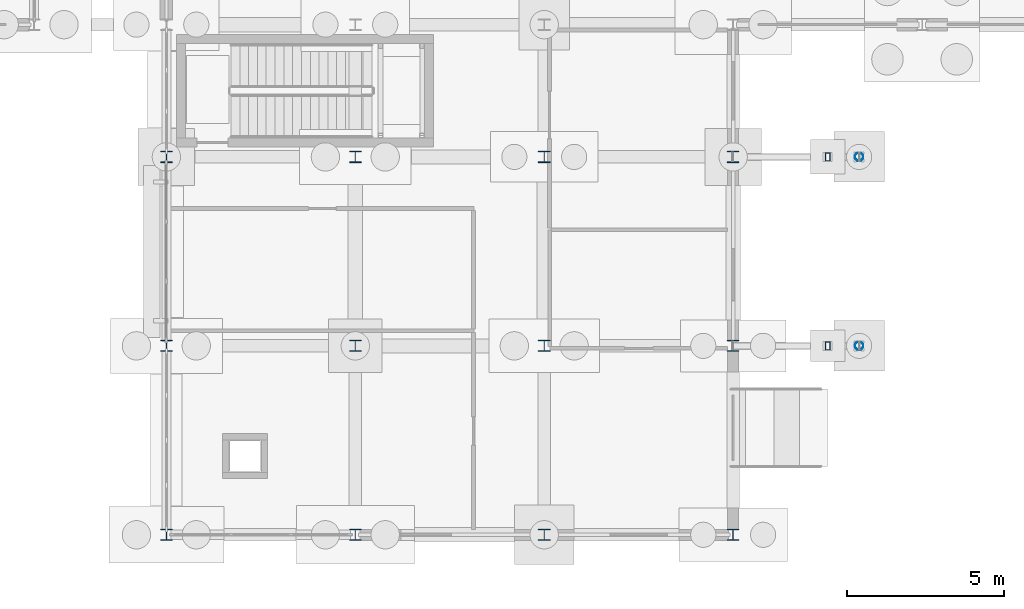
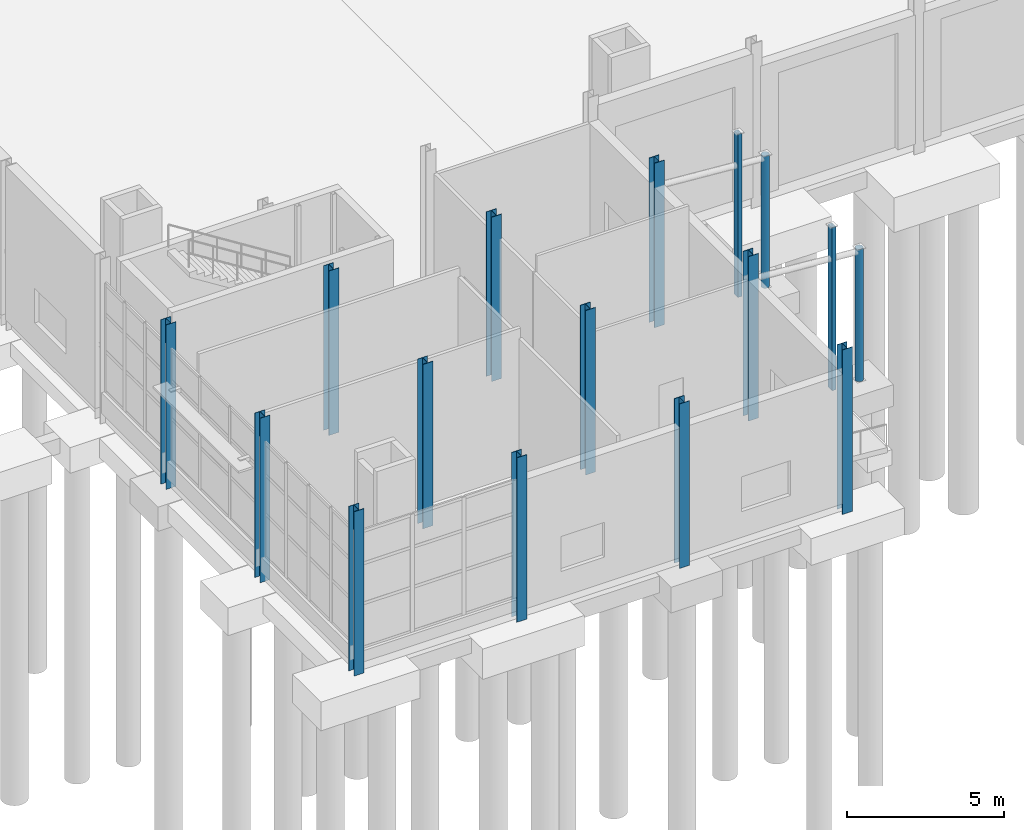
# One storey, part 9 of 120: 16 columns.
"""IFC4 building model written with IfcOpenShell, lengths in metres."""

from ifc_helpers import new_model, si_unit, direction, frame, origin, origin_2d, place, context, subcontext, project, spatial, hollow_rectangle, hollow_circle, i_section, extrude, material, material_profile, profile_set, type_object, element, save


model = new_model("IFC4")

# Units and contexts
model_context = context("Model", 3, precision=1e-05, world=origin(), true_north=direction((0.0, 1.0)))
body_context = subcontext(model_context, "Body", "Model", "MODEL_VIEW")
ifc_project = project(units=[si_unit("LENGTHUNIT", "METRE"), si_unit("AREAUNIT", "SQUARE_METRE"), si_unit("VOLUMEUNIT", "CUBIC_METRE"), si_unit("PLANEANGLEUNIT", "RADIAN"), si_unit("MASSUNIT", "GRAM", prefix="KILO")], contexts=[model_context])

# Site, building, storey
site_placement = place(None, origin())
site = spatial("IfcSite", under=ifc_project, at=site_placement, CompositionType="ELEMENT")
building_placement = place(site_placement, origin())
building = spatial("IfcBuilding", under=site, at=building_placement, Name="Siltcreek Boulevard Central Fire Station", CompositionType="ELEMENT")
storey_placement = place(building_placement, origin())
storey = spatial("IfcBuildingStorey", under=building, at=storey_placement, Name="L01", CompositionType="ELEMENT", Elevation=0.0)

# Columns
ifc_material_1 = material(Name="Structural steel ASTM A500 GrC", Category="steel")
ifc_material_profile_1 = material_profile(ifc_material_1, hollow_circle(Radius=0.136474609375, WallThickness=0.00927734375, at=origin_2d()), Name="HSS273.1X9.3")
ifc_profile_set_1 = profile_set([ifc_material_profile_1], Name="Structural steel ASTM A500 GrC")
column_type_1 = type_object("IfcColumnType", Name="COL_CHS273", PredefinedType="COLUMN", material=ifc_profile_set_1)
for number, where, z_axis, x_axis, name in (
    (1, (64.0, 7.800048828125, -0.35009765625), (0.0, 0.0, 1.0), (1.0, 0.0, 0.0), "Boulevard canopy steel pipe column CC-01"),
    (2, (64.0, 13.800048828125, -0.35009765625), (0.0, 0.0, 1.0), (1.0, 0.0, 0.0), "Boulevard canopy steel pipe column CC-02"),
):
    element("IfcColumn", number, at=place(storey_placement, frame(where, z_axis=z_axis, x_axis=x_axis)), inside=storey, type_object=column_type_1, Name=name, PredefinedType="COLUMN", context=body_context, shape_type="SweptSolid", body=[
        extrude(hollow_circle(Radius=0.136474609375, WallThickness=0.00927734375, at=origin_2d()), origin(), (0.0, 0.0, 1.0), 5.150146484375),
    ])
ifc_material_2 = material(Name="Structural steel ASTM A992 Gr50", Category="steel")
ifc_material_profile_2 = material_profile(ifc_material_2, i_section(OverallWidth=0.368896484375, OverallDepth=0.35595703125, WebThickness=0.01123046875, FlangeThickness=0.01806640625, at=origin_2d()), Name="W360X134")
ifc_profile_set_2 = profile_set([ifc_material_profile_2], Name="Structural steel ASTM A992 Gr50")
column_type_2 = type_object("IfcColumnType", Name="COL_W360X134", PredefinedType="COLUMN", material=ifc_profile_set_2)
for number, where, z_axis, x_axis, name in (
    (3, (42.0, 1.800048828125, -0.409912109375), (0.0, 0.0, 1.0), (1.0, 0.0, 0.0), "L01 structural column COLG-L01-420-18"),
    (4, (42.0, 7.800048828125, -0.409912109375), (0.0, 0.0, 1.0), (1.0, 0.0, 0.0), "L01 structural column COLG-L01-420-78"),
    (5, (42.0, 13.800048828125, -0.409912109375), (0.0, 0.0, 1.0), (1.0, 0.0, 0.0), "L01 structural column COLG-L01-420-138"),
    (6, (48.0, 1.800048828125, -0.409912109375), (0.0, 0.0, 1.0), (1.0, 0.0, 0.0), "L01 structural column COLG-L01-480-18"),
    (7, (48.0, 7.800048828125, -0.409912109375), (0.0, 0.0, 1.0), (1.0, 0.0, 0.0), "L01 structural column COLG-L01-480-78"),
    (8, (48.0, 13.800048828125, -0.409912109375), (0.0, 0.0, 1.0), (1.0, 0.0, 0.0), "L01 structural column COLG-L01-480-138"),
    (9, (54.0, 1.800048828125, -0.409912109375), (0.0, 0.0, 1.0), (1.0, 0.0, 0.0), "L01 structural column COLG-L01-540-18"),
    (10, (54.0, 7.800048828125, -0.409912109375), (0.0, 0.0, 1.0), (1.0, 0.0, 0.0), "L01 structural column COLG-L01-540-78"),
    (11, (54.0, 13.800048828125, -0.409912109375), (0.0, 0.0, 1.0), (1.0, 0.0, 0.0), "L01 structural column COLG-L01-540-138"),
    (12, (60.0, 1.800048828125, -0.409912109375), (0.0, 0.0, 1.0), (1.0, 0.0, 0.0), "L01 structural column COLG-L01-600-18"),
    (13, (60.0, 7.800048828125, -0.409912109375), (0.0, 0.0, 1.0), (1.0, 0.0, 0.0), "L01 structural column COLG-L01-600-78"),
    (14, (60.0, 13.800048828125, -0.409912109375), (0.0, 0.0, 1.0), (1.0, 0.0, 0.0), "L01 structural column COLG-L01-600-138"),
):
    element("IfcColumn", number, at=place(storey_placement, frame(where, z_axis=z_axis, x_axis=x_axis)), inside=storey, type_object=column_type_2, Name=name, PredefinedType="COLUMN", context=body_context, shape_type="SweptSolid", body=[
        extrude(i_section(OverallWidth=0.368896484375, OverallDepth=0.35595703125, WebThickness=0.01123046875, FlangeThickness=0.01806640625, at=origin_2d()), origin(), (0.0, 0.0, 1.0), 6.409912109375),
    ])
ifc_material_profile_3 = material_profile(ifc_material_1, hollow_rectangle(XDim=0.14990234375, YDim=0.25, WallThickness=0.008056640625, at=origin_2d()), Name="HSS250X150X8.0")
ifc_profile_set_3 = profile_set([ifc_material_profile_3], Name="Structural steel ASTM A500 GrC")
column_type_3 = type_object("IfcColumnType", Name="PIL_HSS250X150", PredefinedType="PILASTER", material=ifc_profile_set_3)
for number, where, z_axis, x_axis, name in (
    (15, (63.0, 7.800048828125, -0.35009765625), (0.0, 0.0, 1.0), (1.0, 0.0, 0.0), "Terracotta pier pilaster column PL-01"),
    (16, (63.0, 13.800048828125, -0.35009765625), (0.0, 0.0, 1.0), (1.0, 0.0, 0.0), "Terracotta pier pilaster column PL-02"),
):
    element("IfcColumn", number, at=place(storey_placement, frame(where, z_axis=z_axis, x_axis=x_axis)), inside=storey, type_object=column_type_3, Name=name, PredefinedType="PILASTER", context=body_context, shape_type="SweptSolid", body=[
        extrude(hollow_rectangle(XDim=0.14990234375, YDim=0.25, WallThickness=0.008056640625, at=origin_2d()), origin(), (0.0, 0.0, 1.0), 6.35009765625),
    ])

save(model, "model.ifc")
